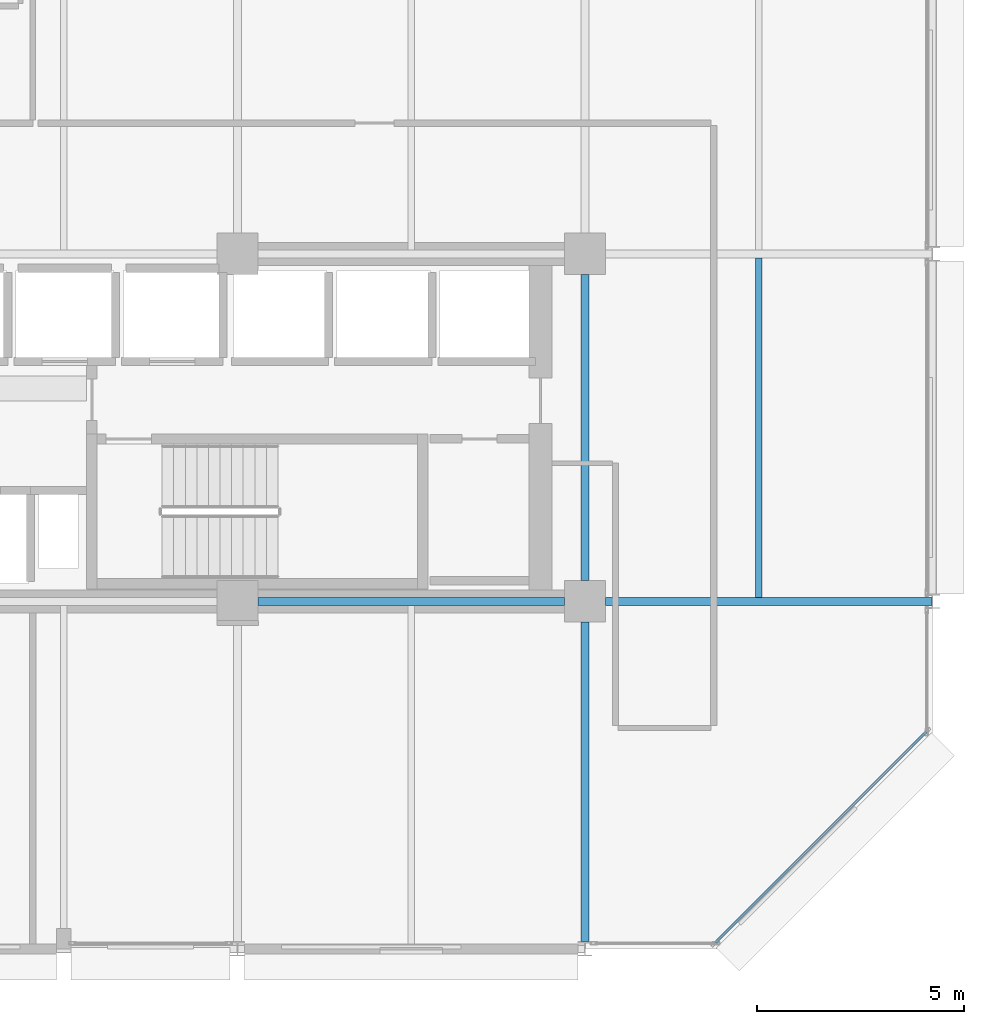
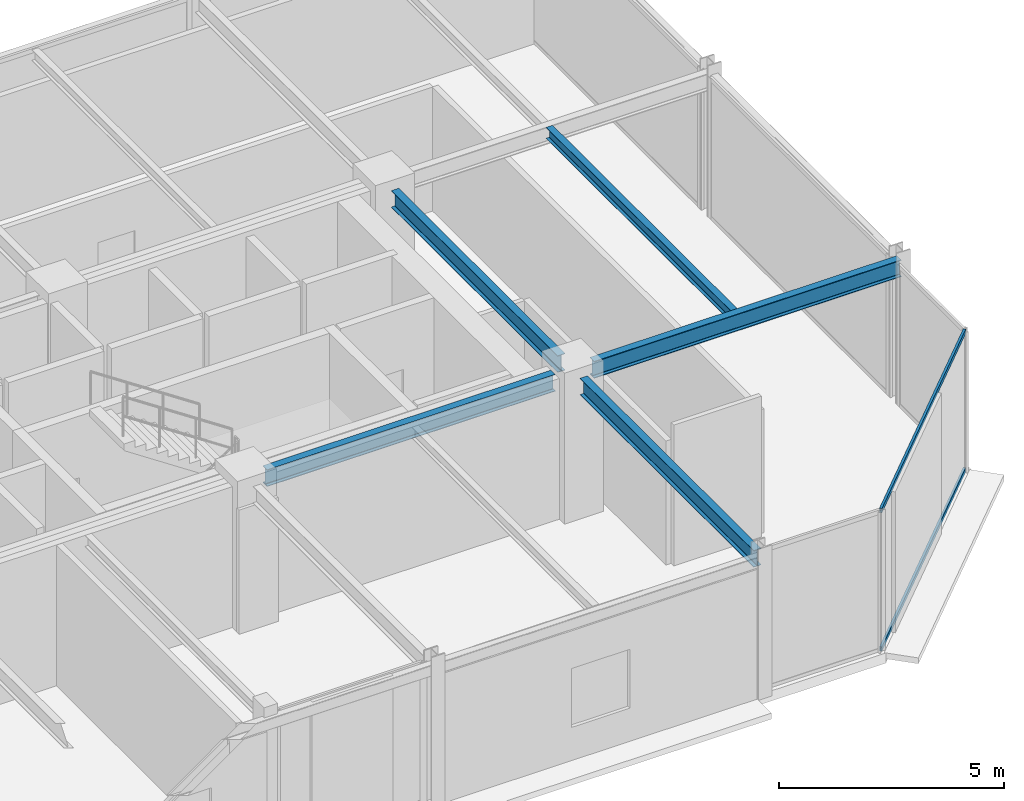
# One storey, part 13 of 30: 5 beams, 2 members, 1 element without a shape of its own.
"""IFC4 building model written with IfcOpenShell, lengths in metres."""

from ifc_helpers import new_model, si_unit, direction, frame, origin, origin_2d, place, context, subcontext, project, spatial, hollow_rectangle, i_section, extrude, material, layer, layer_set, material_profile, profile_set, type_object, element, aggregate, save


model = new_model("IFC4")

# Units and contexts
model_context = context("Model", 3, precision=1e-05, world=origin(), true_north=direction((0.0, 1.0)))
body_context = subcontext(model_context, "Body", "Model", "MODEL_VIEW")
ifc_project = project(units=[si_unit("LENGTHUNIT", "METRE"), si_unit("AREAUNIT", "SQUARE_METRE"), si_unit("VOLUMEUNIT", "CUBIC_METRE"), si_unit("PLANEANGLEUNIT", "RADIAN"), si_unit("MASSUNIT", "GRAM", prefix="KILO")], contexts=[model_context])

# Site, building, storey
site_placement = place(None, origin())
site = spatial("IfcSite", under=ifc_project, at=site_placement, CompositionType="ELEMENT")
building_placement = place(site_placement, origin())
building = spatial("IfcBuilding", under=site, at=building_placement, Name="Nerrivon Quay Data Exchange", CompositionType="ELEMENT")
storey_placement = place(building_placement, frame((0.0, 0.0, 167.300048828125)))
storey = spatial("IfcBuildingStorey", under=building, at=storey_placement, Name="L39", CompositionType="ELEMENT", Elevation=167.300048828125)

# Beams
ifc_material_1 = material(Name="Steel Grade 350", Category="steel")
ifc_material_profile_1 = material_profile(ifc_material_1, i_section(OverallWidth=0.19091796875, OverallDepth=0.4599609375, WebThickness=0.010009765625, FlangeThickness=0.01611328125, FilletRadius=0.011474609375, at=origin_2d()), Name="460UB82.1")
ifc_profile_set_1 = profile_set([ifc_material_profile_1], Name="Steel Grade 350")
beam_type_1 = type_object("IfcBeamType", Name="BM-G5-460UB82", PredefinedType="BEAM", material=ifc_profile_set_1)
beam_1_placement = place(storey_placement, frame((25.699951171875, 8.39990234375, 3.594970703125), z_axis=(1.0, 0.0, 0.0), x_axis=(0.0, 1.0, 0.0)))
element("IfcBeam", 1, at=beam_1_placement, inside=storey, type_object=beam_type_1, Name="L39 EW Girder Y=8.4 (25.2..33.6)", PredefinedType="BEAM", context=body_context, shape_type="SweptSolid", body=[
    extrude(i_section(OverallWidth=0.19091796875, OverallDepth=0.4599609375, WebThickness=0.010009765625, FlangeThickness=0.01611328125, FilletRadius=0.011474609375, at=origin_2d()), origin(), (0.0, 0.0, 1.0), 7.400146484375),
])
beam_2_placement = place(storey_placement, frame((34.10009765625, 8.39990234375, 3.594970703125), z_axis=(1.0, 0.0, 0.0), x_axis=(0.0, 1.0, 0.0)))
element("IfcBeam", 2, at=beam_2_placement, inside=storey, type_object=beam_type_1, Name="L39 EW Girder Y=8.4 (33.6..42.0)", PredefinedType="BEAM", context=body_context, shape_type="SweptSolid", body=[
    extrude(i_section(OverallWidth=0.19091796875, OverallDepth=0.4599609375, WebThickness=0.010009765625, FlangeThickness=0.01611328125, FilletRadius=0.011474609375, at=origin_2d()), origin(), (0.0, 0.0, 1.0), 7.889892578125),
])
ifc_material_profile_2 = material_profile(ifc_material_1, i_section(OverallWidth=0.18994140625, OverallDepth=0.4541015625, WebThickness=0.008544921875, FlangeThickness=0.0126953125, FilletRadius=0.011474609375, at=origin_2d()), Name="460UB67.1")
ifc_profile_set_2 = profile_set([ifc_material_profile_2], Name="Steel Grade 350")
beam_type_2 = type_object("IfcBeamType", Name="BM-G6-460UB67", PredefinedType="BEAM", material=ifc_profile_set_2)
beam_3_placement = place(storey_placement, frame((33.60009765625, 0.175048828125, 3.597900390625), z_axis=(0.0, 1.0, 0.0), x_axis=(-1.0, 0.0, 0.0)))
element("IfcBeam", 3, at=beam_3_placement, inside=storey, type_object=beam_type_2, Name="L39 NS Girder X=33.6 (0.0..8.4)", PredefinedType="BEAM", context=body_context, shape_type="SweptSolid", body=[
    extrude(i_section(OverallWidth=0.18994140625, OverallDepth=0.4541015625, WebThickness=0.008544921875, FlangeThickness=0.0126953125, FilletRadius=0.011474609375, at=origin_2d()), origin(), (0.0, 0.0, 1.0), 7.724853515625),
])
beam_4_placement = place(storey_placement, frame((33.60009765625, 8.89990234375, 3.597900390625), z_axis=(0.0, 1.0, 0.0), x_axis=(-1.0, 0.0, 0.0)))
element("IfcBeam", 4, at=beam_4_placement, inside=storey, type_object=beam_type_2, Name="L39 NS Girder X=33.6 (8.4..16.8)", PredefinedType="BEAM", context=body_context, shape_type="SweptSolid", body=[
    extrude(i_section(OverallWidth=0.18994140625, OverallDepth=0.4541015625, WebThickness=0.008544921875, FlangeThickness=0.0126953125, FilletRadius=0.011474609375, at=origin_2d()), origin(), (0.0, 0.0, 1.0), 7.400146484375),
])
ifc_material_profile_3 = material_profile(ifc_material_1, i_section(OverallWidth=0.166015625, OverallDepth=0.306884765625, WebThickness=0.006591796875, FlangeThickness=0.01171875, FilletRadius=0.011474609375, at=origin_2d()), Name="310UB46.2")
ifc_profile_set_3 = profile_set([ifc_material_profile_3], Name="Steel Grade 350")
beam_type_3 = type_object("IfcBeamType", Name="BM-J5-310UB46", PredefinedType="JOIST", material=ifc_profile_set_3)
beam_5_placement = place(storey_placement, frame((37.800048828125, 8.49560546875, 3.67138671875), z_axis=(0.0, 1.0, 0.0), x_axis=(-1.0, 0.0, 0.0)))
element("IfcBeam", 5, at=beam_5_placement, inside=storey, type_object=beam_type_3, Name="L39 Secondary Joist X=37.8 (8.4..16.8)", PredefinedType="JOIST", context=body_context, shape_type="SweptSolid", body=[
    extrude(i_section(OverallWidth=0.166015625, OverallDepth=0.306884765625, WebThickness=0.006591796875, FlangeThickness=0.01171875, FilletRadius=0.011474609375, at=origin_2d()), origin(), (0.0, 0.0, 1.0), 8.208984375),
])

# Curtain wall, members
ifc_material_2 = material(Name="Anodised aluminium 6063-T6", Category="aluminium")
ifc_layer = layer(ifc_material_2, 0.195068359375)
ifc_layer_set = layer_set([ifc_layer], Name="Anodised aluminium 6063-T6")
curtain_wall_type = type_object("IfcCurtainWallType", Name="CW-SYS-06", PredefinedType="NOTDEFINED", material=ifc_layer_set)
curtain_wall_placement = place(storey_placement, origin())
curtain_wall = element("IfcCurtainWall", 6, at=curtain_wall_placement, inside=storey, type_object=curtain_wall_type, Name="L39 Unitised Curtain Wall 1", PredefinedType="NOTDEFINED")
ifc_material_profile_4 = material_profile(ifc_material_2, hollow_rectangle(XDim=0.06005859375, YDim=0.1201171875, WallThickness=0.003173828125, at=origin_2d()), Name="ALU-TRAN-120x60")
ifc_profile_set_4 = profile_set([ifc_material_profile_4], Name="Anodised aluminium 6063-T6")
member_type = type_object("IfcMemberType", Name="CWT-120x60", PredefinedType="USERDEFINED", material=ifc_profile_set_4)
member_1_placement = place(storey_placement, frame((41.847900390625, 5.245849609375, 0.032470703125), z_axis=(-0.707106781187, -0.707106781187, 0.0), x_axis=(0.707106781187, -0.707106781187, 0.0)))
member_1 = element("IfcMember", 7, at=member_1_placement, type_object=member_type, Name="CW06 transom 1.1", ObjectType="TRANSOM", PredefinedType="USERDEFINED", context=body_context, shape_type="SweptSolid", body=[
    extrude(hollow_rectangle(XDim=0.06005859375, YDim=0.1201171875, WallThickness=0.003173828125, at=origin_2d()), origin(), (0.0, 0.0, 1.0), 7.20361328125),
])
member_2_placement = place(storey_placement, frame((41.847900390625, 5.245849609375, 3.79248046875), z_axis=(-0.707106781187, -0.707106781187, 0.0), x_axis=(0.707106781187, -0.707106781187, 0.0)))
member_2 = element("IfcMember", 8, at=member_2_placement, type_object=member_type, Name="CW06 transom 1.2", ObjectType="TRANSOM", PredefinedType="USERDEFINED", context=body_context, shape_type="SweptSolid", body=[
    extrude(hollow_rectangle(XDim=0.06005859375, YDim=0.1201171875, WallThickness=0.003173828125, at=origin_2d()), origin(), (0.0, 0.0, 1.0), 7.20361328125),
])
aggregate(curtain_wall, [member_1, member_2])

save(model, "model.ifc")
